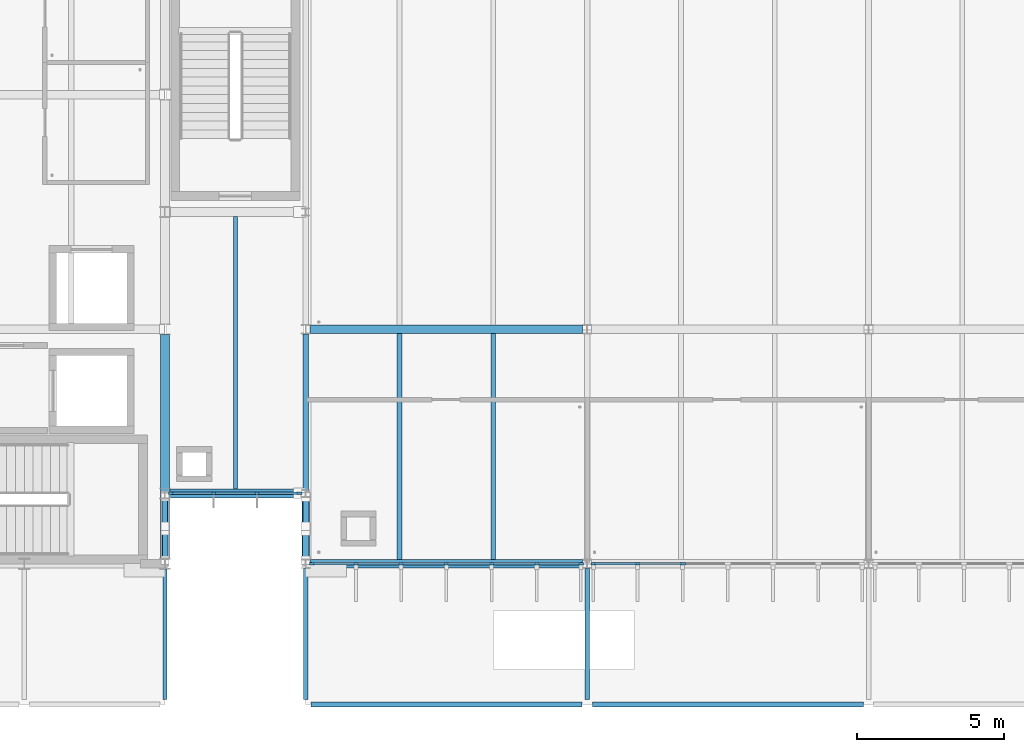
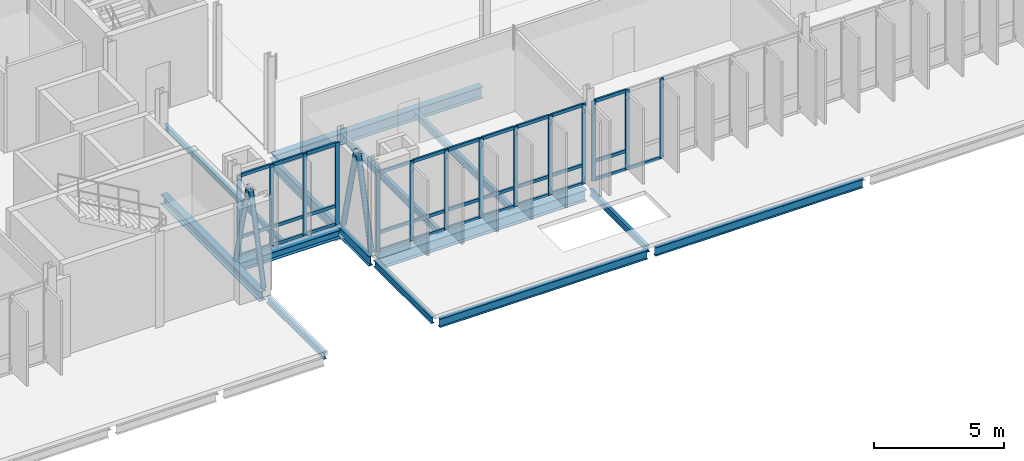
# One storey, part 19 of 107: 49 members, 13 beams, 3 elements without a shape of their own.
"""IFC4 building model written with IfcOpenShell, lengths in metres."""

from ifc_helpers import new_model, si_unit, direction, frame, origin, origin_2d, place, context, subcontext, project, spatial, rectangle, hollow_circle, i_section, extrude, material, material_profile, profile_set, type_object, element, aggregate, save


model = new_model("IFC4")

# Units and contexts
model_context = context("Model", 3, precision=1e-05, world=origin(), true_north=direction((0.0, 1.0)))
body_context = subcontext(model_context, "Body", "Model", "MODEL_VIEW")
ifc_project = project(units=[si_unit("LENGTHUNIT", "METRE"), si_unit("AREAUNIT", "SQUARE_METRE"), si_unit("VOLUMEUNIT", "CUBIC_METRE"), si_unit("PLANEANGLEUNIT", "RADIAN"), si_unit("MASSUNIT", "GRAM", prefix="KILO")], contexts=[model_context])

# Site, building, storey
site_placement = place(None, origin())
site = spatial("IfcSite", under=ifc_project, at=site_placement, CompositionType="ELEMENT")
building_placement = place(site_placement, origin())
building = spatial("IfcBuilding", under=site, at=building_placement, Name="Dunescarp Central Library", CompositionType="ELEMENT")
storey_placement = place(building_placement, frame((0.0, 0.0, 5.10009765625)))
storey = spatial("IfcBuildingStorey", under=building, at=storey_placement, Name="L01", CompositionType="ELEMENT", Elevation=5.10009765625)

# Curtain wall, members
ifc_material_1 = material(Name="Marine-grade anodised aluminium 6063-T6", Category="aluminium")
curtain_wall_type_1 = type_object("IfcCurtainWallType", Name="ARC-CW-STICK", PredefinedType="NOTDEFINED", material=ifc_material_1)
curtain_wall_1_placement = place(storey_placement, origin())
curtain_wall_1 = element("IfcCurtainWall", 1, at=curtain_wall_1_placement, inside=storey, type_object=curtain_wall_type_1, Name="L01 curtain wall CW-V2-048", PredefinedType="NOTDEFINED")
ifc_material_profile_1 = material_profile(ifc_material_1, rectangle(XDim=0.080078125, YDim=0.179931640625, at=origin_2d()), Name="AL 80x180")
ifc_profile_set_1 = profile_set([ifc_material_profile_1], Name="Marine-grade anodised aluminium 6063-T6")
member_type_1 = type_object("IfcMemberType", Name="ARC-CWM-180", PredefinedType="MULLION", material=ifc_profile_set_1)
member_1_placement = place(storey_placement, frame((47.784912109375, 4.800048828125, 0.0), z_axis=(0.0, 0.0, 1.0), x_axis=(0.0, -1.0, 0.0)))
member_1 = element("IfcMember", 2, at=member_1_placement, type_object=member_type_1, Name="CW-V2-048 mullion 1", PredefinedType="MULLION", context=body_context, shape_type="SweptSolid", body=[
    extrude(rectangle(XDim=0.080078125, YDim=0.179931640625, at=origin_2d()), origin(), (0.0, 0.0, 1.0), 3.764892578125),
])
member_2_placement = place(storey_placement, frame((46.283447265625, 4.800048828125, 0.0), z_axis=(0.0, 0.0, 1.0), x_axis=(0.0, -1.0, 0.0)))
member_2 = element("IfcMember", 3, at=member_2_placement, type_object=member_type_1, Name="CW-V2-048 mullion 2", PredefinedType="MULLION", context=body_context, shape_type="SweptSolid", body=[
    extrude(rectangle(XDim=0.080078125, YDim=0.179931640625, at=origin_2d()), origin(), (0.0, 0.0, 1.0), 3.764892578125),
])
member_3_placement = place(storey_placement, frame((44.74169921875, 4.800048828125, 0.0), z_axis=(0.0, 0.0, 1.0), x_axis=(0.0, -1.0, 0.0)))
member_3 = element("IfcMember", 4, at=member_3_placement, type_object=member_type_1, Name="CW-V2-048 mullion 3", PredefinedType="MULLION", context=body_context, shape_type="SweptSolid", body=[
    extrude(rectangle(XDim=0.080078125, YDim=0.179931640625, at=origin_2d()), origin(), (0.0, 0.0, 1.0), 3.764892578125),
])
member_4_placement = place(storey_placement, frame((43.199951171875, 4.800048828125, 0.0), z_axis=(0.0, 0.0, 1.0), x_axis=(0.0, -1.0, 0.0)))
member_4 = element("IfcMember", 5, at=member_4_placement, type_object=member_type_1, Name="CW-V2-048 mullion 4", PredefinedType="MULLION", context=body_context, shape_type="SweptSolid", body=[
    extrude(rectangle(XDim=0.080078125, YDim=0.179931640625, at=origin_2d()), origin(), (0.0, 0.0, 1.0), 3.764892578125),
])
member_5_placement = place(storey_placement, frame((41.658447265625, 4.800048828125, 0.0), z_axis=(0.0, 0.0, 1.0), x_axis=(0.0, -1.0, 0.0)))
member_5 = element("IfcMember", 6, at=member_5_placement, type_object=member_type_1, Name="CW-V2-048 mullion 5", PredefinedType="MULLION", context=body_context, shape_type="SweptSolid", body=[
    extrude(rectangle(XDim=0.080078125, YDim=0.179931640625, at=origin_2d()), origin(), (0.0, 0.0, 1.0), 3.764892578125),
])
member_6_placement = place(storey_placement, frame((40.11669921875, 4.800048828125, 0.0), z_axis=(0.0, 0.0, 1.0), x_axis=(0.0, -1.0, 0.0)))
member_6 = element("IfcMember", 7, at=member_6_placement, type_object=member_type_1, Name="CW-V2-048 mullion 6", PredefinedType="MULLION", context=body_context, shape_type="SweptSolid", body=[
    extrude(rectangle(XDim=0.080078125, YDim=0.179931640625, at=origin_2d()), origin(), (0.0, 0.0, 1.0), 3.764892578125),
])
member_7_placement = place(storey_placement, frame((38.614990234375, 4.800048828125, 0.0), z_axis=(0.0, 0.0, 1.0), x_axis=(0.0, -1.0, 0.0)))
member_7 = element("IfcMember", 8, at=member_7_placement, type_object=member_type_1, Name="CW-V2-048 mullion 7", PredefinedType="MULLION", context=body_context, shape_type="SweptSolid", body=[
    extrude(rectangle(XDim=0.080078125, YDim=0.179931640625, at=origin_2d()), origin(), (0.0, 0.0, 1.0), 3.764892578125),
])

curtain_wall_2_placement = place(storey_placement, origin())
curtain_wall_2 = element("IfcCurtainWall", 9, at=curtain_wall_2_placement, inside=storey, type_object=curtain_wall_type_1, Name="L01 curtain wall CW-V2-049", PredefinedType="NOTDEFINED")
member_8_placement = place(storey_placement, frame((51.25830078125, 4.800048828125, 0.0), z_axis=(0.0, 0.0, 1.0), x_axis=(0.0, -1.0, 0.0)))
member_8 = element("IfcMember", 10, at=member_8_placement, type_object=member_type_1, Name="CW-V2-049 mullion 5", PredefinedType="MULLION", context=body_context, shape_type="SweptSolid", body=[
    extrude(rectangle(XDim=0.080078125, YDim=0.179931640625, at=origin_2d()), origin(), (0.0, 0.0, 1.0), 3.764892578125),
])
member_9_placement = place(storey_placement, frame((49.716552734375, 4.800048828125, 0.0), z_axis=(0.0, 0.0, 1.0), x_axis=(0.0, -1.0, 0.0)))
member_9 = element("IfcMember", 11, at=member_9_placement, type_object=member_type_1, Name="CW-V2-049 mullion 6", PredefinedType="MULLION", context=body_context, shape_type="SweptSolid", body=[
    extrude(rectangle(XDim=0.080078125, YDim=0.179931640625, at=origin_2d()), origin(), (0.0, 0.0, 1.0), 3.764892578125),
])
member_10_placement = place(storey_placement, frame((48.215087890625, 4.800048828125, 0.0), z_axis=(0.0, 0.0, 1.0), x_axis=(0.0, -1.0, 0.0)))
member_10 = element("IfcMember", 12, at=member_10_placement, type_object=member_type_1, Name="CW-V2-049 mullion 7", PredefinedType="MULLION", context=body_context, shape_type="SweptSolid", body=[
    extrude(rectangle(XDim=0.080078125, YDim=0.179931640625, at=origin_2d()), origin(), (0.0, 0.0, 1.0), 3.764892578125),
])

curtain_wall_type_2 = type_object("IfcCurtainWallType", Name="ARC-CW-LINK", PredefinedType="USERDEFINED", material=ifc_material_1)
curtain_wall_3_placement = place(storey_placement, origin())
curtain_wall_3 = element("IfcCurtainWall", 13, at=curtain_wall_3_placement, inside=storey, type_object=curtain_wall_type_2, Name="L01 curtain wall CW-GL1-S-L01", ObjectType="GLAZED_LINK_WALL", PredefinedType="USERDEFINED")
member_11_placement = place(storey_placement, frame((38.18505859375, 7.199951171875, 0.0), z_axis=(0.0, 0.0, 1.0), x_axis=(0.0, -1.0, 0.0)))
member_11 = element("IfcMember", 14, at=member_11_placement, type_object=member_type_1, Name="CW-GL1-S-L01 mullion 1", PredefinedType="MULLION", context=body_context, shape_type="SweptSolid", body=[
    extrude(rectangle(XDim=0.080078125, YDim=0.179931640625, at=origin_2d()), origin(), (0.0, 0.0, 1.0), 3.851806640625),
])
member_12_placement = place(storey_placement, frame((36.74169921875, 7.199951171875, 0.0), z_axis=(0.0, 0.0, 1.0), x_axis=(0.0, -1.0, 0.0)))
member_12 = element("IfcMember", 15, at=member_12_placement, type_object=member_type_1, Name="CW-GL1-S-L01 mullion 2", PredefinedType="MULLION", context=body_context, shape_type="SweptSolid", body=[
    extrude(rectangle(XDim=0.080078125, YDim=0.179931640625, at=origin_2d()), origin(), (0.0, 0.0, 1.0), 3.851806640625),
])
member_13_placement = place(storey_placement, frame((35.25830078125, 7.199951171875, 0.0), z_axis=(0.0, 0.0, 1.0), x_axis=(0.0, -1.0, 0.0)))
member_13 = element("IfcMember", 16, at=member_13_placement, type_object=member_type_1, Name="CW-GL1-S-L01 mullion 3", PredefinedType="MULLION", context=body_context, shape_type="SweptSolid", body=[
    extrude(rectangle(XDim=0.080078125, YDim=0.179931640625, at=origin_2d()), origin(), (0.0, 0.0, 1.0), 3.851806640625),
])
member_14_placement = place(storey_placement, frame((33.81494140625, 7.199951171875, 0.0), z_axis=(0.0, 0.0, 1.0), x_axis=(0.0, -1.0, 0.0)))
member_14 = element("IfcMember", 17, at=member_14_placement, type_object=member_type_1, Name="CW-GL1-S-L01 mullion 4", PredefinedType="MULLION", context=body_context, shape_type="SweptSolid", body=[
    extrude(rectangle(XDim=0.080078125, YDim=0.179931640625, at=origin_2d()), origin(), (0.0, 0.0, 1.0), 3.851806640625),
])

# Member
ifc_material_profile_2 = material_profile(ifc_material_1, rectangle(XDim=0.080078125, YDim=0.14990234375, at=origin_2d()), Name="AL 80x150")
ifc_profile_set_2 = profile_set([ifc_material_profile_2], Name="Marine-grade anodised aluminium 6063-T6")
member_type_2 = type_object("IfcMemberType", Name="ARC-CWT-150", PredefinedType="USERDEFINED", material=ifc_profile_set_2)
member_15_placement = place(storey_placement, frame((47.7451171875, 4.800048828125, 0.039794921875), z_axis=(-1.0, 0.0, 0.0), x_axis=(0.0, -1.0, 0.0)))
member_15 = element("IfcMember", 18, at=member_15_placement, type_object=member_type_2, Name="CW-V2-048 transom 1.1", ObjectType="TRANSOM", PredefinedType="USERDEFINED", context=body_context, shape_type="SweptSolid", body=[
    extrude(rectangle(XDim=0.080078125, YDim=0.14990234375, at=origin_2d()), origin(), (0.0, 0.0, 1.0), 1.421875),
])

member_16_placement = place(storey_placement, frame((47.7451171875, 4.800048828125, 0.89990234375), z_axis=(-1.0, 0.0, 0.0), x_axis=(0.0, -1.0, 0.0)))
member_16 = element("IfcMember", 19, at=member_16_placement, type_object=member_type_2, Name="CW-V2-048 transom 1.2", ObjectType="TRANSOM", PredefinedType="USERDEFINED", context=body_context, shape_type="SweptSolid", body=[
    extrude(rectangle(XDim=0.080078125, YDim=0.14990234375, at=origin_2d()), origin(), (0.0, 0.0, 1.0), 1.421875),
])

member_17_placement = place(storey_placement, frame((47.7451171875, 4.800048828125, 3.724853515625), z_axis=(-1.0, 0.0, 0.0), x_axis=(0.0, -1.0, 0.0)))
member_17 = element("IfcMember", 20, at=member_17_placement, type_object=member_type_2, Name="CW-V2-048 transom 1.3", ObjectType="TRANSOM", PredefinedType="USERDEFINED", context=body_context, shape_type="SweptSolid", body=[
    extrude(rectangle(XDim=0.080078125, YDim=0.14990234375, at=origin_2d()), origin(), (0.0, 0.0, 1.0), 1.421875),
])

member_18_placement = place(storey_placement, frame((46.243408203125, 4.800048828125, 0.039794921875), z_axis=(-1.0, 0.0, 0.0), x_axis=(0.0, -1.0, 0.0)))
member_18 = element("IfcMember", 21, at=member_18_placement, type_object=member_type_2, Name="CW-V2-048 transom 2.1", ObjectType="TRANSOM", PredefinedType="USERDEFINED", context=body_context, shape_type="SweptSolid", body=[
    extrude(rectangle(XDim=0.080078125, YDim=0.14990234375, at=origin_2d()), origin(), (0.0, 0.0, 1.0), 1.461669921875),
])

member_19_placement = place(storey_placement, frame((46.243408203125, 4.800048828125, 0.89990234375), z_axis=(-1.0, 0.0, 0.0), x_axis=(0.0, -1.0, 0.0)))
member_19 = element("IfcMember", 22, at=member_19_placement, type_object=member_type_2, Name="CW-V2-048 transom 2.2", ObjectType="TRANSOM", PredefinedType="USERDEFINED", context=body_context, shape_type="SweptSolid", body=[
    extrude(rectangle(XDim=0.080078125, YDim=0.14990234375, at=origin_2d()), origin(), (0.0, 0.0, 1.0), 1.461669921875),
])

member_20_placement = place(storey_placement, frame((46.243408203125, 4.800048828125, 3.724853515625), z_axis=(-1.0, 0.0, 0.0), x_axis=(0.0, -1.0, 0.0)))
member_20 = element("IfcMember", 23, at=member_20_placement, type_object=member_type_2, Name="CW-V2-048 transom 2.3", ObjectType="TRANSOM", PredefinedType="USERDEFINED", context=body_context, shape_type="SweptSolid", body=[
    extrude(rectangle(XDim=0.080078125, YDim=0.14990234375, at=origin_2d()), origin(), (0.0, 0.0, 1.0), 1.461669921875),
])

member_21_placement = place(storey_placement, frame((44.70166015625, 4.800048828125, 0.039794921875), z_axis=(-1.0, 0.0, 0.0), x_axis=(0.0, -1.0, 0.0)))
member_21 = element("IfcMember", 24, at=member_21_placement, type_object=member_type_2, Name="CW-V2-048 transom 3.1", ObjectType="TRANSOM", PredefinedType="USERDEFINED", context=body_context, shape_type="SweptSolid", body=[
    extrude(rectangle(XDim=0.080078125, YDim=0.14990234375, at=origin_2d()), origin(), (0.0, 0.0, 1.0), 1.461669921875),
])

member_22_placement = place(storey_placement, frame((44.70166015625, 4.800048828125, 0.89990234375), z_axis=(-1.0, 0.0, 0.0), x_axis=(0.0, -1.0, 0.0)))
member_22 = element("IfcMember", 25, at=member_22_placement, type_object=member_type_2, Name="CW-V2-048 transom 3.2", ObjectType="TRANSOM", PredefinedType="USERDEFINED", context=body_context, shape_type="SweptSolid", body=[
    extrude(rectangle(XDim=0.080078125, YDim=0.14990234375, at=origin_2d()), origin(), (0.0, 0.0, 1.0), 1.461669921875),
])

member_23_placement = place(storey_placement, frame((44.70166015625, 4.800048828125, 3.724853515625), z_axis=(-1.0, 0.0, 0.0), x_axis=(0.0, -1.0, 0.0)))
member_23 = element("IfcMember", 26, at=member_23_placement, type_object=member_type_2, Name="CW-V2-048 transom 3.3", ObjectType="TRANSOM", PredefinedType="USERDEFINED", context=body_context, shape_type="SweptSolid", body=[
    extrude(rectangle(XDim=0.080078125, YDim=0.14990234375, at=origin_2d()), origin(), (0.0, 0.0, 1.0), 1.461669921875),
])

member_24_placement = place(storey_placement, frame((43.159912109375, 4.800048828125, 0.039794921875), z_axis=(-1.0, 0.0, 0.0), x_axis=(0.0, -1.0, 0.0)))
member_24 = element("IfcMember", 27, at=member_24_placement, type_object=member_type_2, Name="CW-V2-048 transom 4.1", ObjectType="TRANSOM", PredefinedType="USERDEFINED", context=body_context, shape_type="SweptSolid", body=[
    extrude(rectangle(XDim=0.080078125, YDim=0.14990234375, at=origin_2d()), origin(), (0.0, 0.0, 1.0), 1.461669921875),
])

member_25_placement = place(storey_placement, frame((43.159912109375, 4.800048828125, 0.89990234375), z_axis=(-1.0, 0.0, 0.0), x_axis=(0.0, -1.0, 0.0)))
member_25 = element("IfcMember", 28, at=member_25_placement, type_object=member_type_2, Name="CW-V2-048 transom 4.2", ObjectType="TRANSOM", PredefinedType="USERDEFINED", context=body_context, shape_type="SweptSolid", body=[
    extrude(rectangle(XDim=0.080078125, YDim=0.14990234375, at=origin_2d()), origin(), (0.0, 0.0, 1.0), 1.461669921875),
])

member_26_placement = place(storey_placement, frame((43.159912109375, 4.800048828125, 3.724853515625), z_axis=(-1.0, 0.0, 0.0), x_axis=(0.0, -1.0, 0.0)))
member_26 = element("IfcMember", 29, at=member_26_placement, type_object=member_type_2, Name="CW-V2-048 transom 4.3", ObjectType="TRANSOM", PredefinedType="USERDEFINED", context=body_context, shape_type="SweptSolid", body=[
    extrude(rectangle(XDim=0.080078125, YDim=0.14990234375, at=origin_2d()), origin(), (0.0, 0.0, 1.0), 1.461669921875),
])

member_27_placement = place(storey_placement, frame((41.618408203125, 4.800048828125, 0.039794921875), z_axis=(-1.0, 0.0, 0.0), x_axis=(0.0, -1.0, 0.0)))
member_27 = element("IfcMember", 30, at=member_27_placement, type_object=member_type_2, Name="CW-V2-048 transom 5.1", ObjectType="TRANSOM", PredefinedType="USERDEFINED", context=body_context, shape_type="SweptSolid", body=[
    extrude(rectangle(XDim=0.080078125, YDim=0.14990234375, at=origin_2d()), origin(), (0.0, 0.0, 1.0), 1.461669921875),
])

member_28_placement = place(storey_placement, frame((41.618408203125, 4.800048828125, 0.89990234375), z_axis=(-1.0, 0.0, 0.0), x_axis=(0.0, -1.0, 0.0)))
member_28 = element("IfcMember", 31, at=member_28_placement, type_object=member_type_2, Name="CW-V2-048 transom 5.2", ObjectType="TRANSOM", PredefinedType="USERDEFINED", context=body_context, shape_type="SweptSolid", body=[
    extrude(rectangle(XDim=0.080078125, YDim=0.14990234375, at=origin_2d()), origin(), (0.0, 0.0, 1.0), 1.461669921875),
])

member_29_placement = place(storey_placement, frame((41.618408203125, 4.800048828125, 3.724853515625), z_axis=(-1.0, 0.0, 0.0), x_axis=(0.0, -1.0, 0.0)))
member_29 = element("IfcMember", 32, at=member_29_placement, type_object=member_type_2, Name="CW-V2-048 transom 5.3", ObjectType="TRANSOM", PredefinedType="USERDEFINED", context=body_context, shape_type="SweptSolid", body=[
    extrude(rectangle(XDim=0.080078125, YDim=0.14990234375, at=origin_2d()), origin(), (0.0, 0.0, 1.0), 1.461669921875),
])

member_30_placement = place(storey_placement, frame((40.07666015625, 4.800048828125, 0.039794921875), z_axis=(-1.0, 0.0, 0.0), x_axis=(0.0, -1.0, 0.0)))
member_30 = element("IfcMember", 33, at=member_30_placement, type_object=member_type_2, Name="CW-V2-048 transom 6.1", ObjectType="TRANSOM", PredefinedType="USERDEFINED", context=body_context, shape_type="SweptSolid", body=[
    extrude(rectangle(XDim=0.080078125, YDim=0.14990234375, at=origin_2d()), origin(), (0.0, 0.0, 1.0), 1.421630859375),
])

member_31_placement = place(storey_placement, frame((40.07666015625, 4.800048828125, 0.89990234375), z_axis=(-1.0, 0.0, 0.0), x_axis=(0.0, -1.0, 0.0)))
member_31 = element("IfcMember", 34, at=member_31_placement, type_object=member_type_2, Name="CW-V2-048 transom 6.2", ObjectType="TRANSOM", PredefinedType="USERDEFINED", context=body_context, shape_type="SweptSolid", body=[
    extrude(rectangle(XDim=0.080078125, YDim=0.14990234375, at=origin_2d()), origin(), (0.0, 0.0, 1.0), 1.421630859375),
])

member_32_placement = place(storey_placement, frame((40.07666015625, 4.800048828125, 3.724853515625), z_axis=(-1.0, 0.0, 0.0), x_axis=(0.0, -1.0, 0.0)))
member_32 = element("IfcMember", 35, at=member_32_placement, type_object=member_type_2, Name="CW-V2-048 transom 6.3", ObjectType="TRANSOM", PredefinedType="USERDEFINED", context=body_context, shape_type="SweptSolid", body=[
    extrude(rectangle(XDim=0.080078125, YDim=0.14990234375, at=origin_2d()), origin(), (0.0, 0.0, 1.0), 1.421630859375),
])

aggregate(curtain_wall_1, [member_1, member_2, member_3, member_4, member_5, member_6, member_7, member_15, member_16, member_17, member_18, member_19, member_20, member_21, member_22, member_23, member_24, member_25, member_26, member_27, member_28, member_29, member_30, member_31, member_32])

member_33_placement = place(storey_placement, frame((51.21826171875, 4.800048828125, 0.039794921875), z_axis=(-1.0, 0.0, 0.0), x_axis=(0.0, -1.0, 0.0)))
member_33 = element("IfcMember", 36, at=member_33_placement, type_object=member_type_2, Name="CW-V2-049 transom 5.1", ObjectType="TRANSOM", PredefinedType="USERDEFINED", context=body_context, shape_type="SweptSolid", body=[
    extrude(rectangle(XDim=0.080078125, YDim=0.14990234375, at=origin_2d()), origin(), (0.0, 0.0, 1.0), 1.461669921875),
])

member_34_placement = place(storey_placement, frame((49.6767578125, 4.800048828125, 0.039794921875), z_axis=(-1.0, 0.0, 0.0), x_axis=(0.0, -1.0, 0.0)))
member_34 = element("IfcMember", 37, at=member_34_placement, type_object=member_type_2, Name="CW-V2-049 transom 6.1", ObjectType="TRANSOM", PredefinedType="USERDEFINED", context=body_context, shape_type="SweptSolid", body=[
    extrude(rectangle(XDim=0.080078125, YDim=0.14990234375, at=origin_2d()), origin(), (0.0, 0.0, 1.0), 1.421875),
])

member_35_placement = place(storey_placement, frame((49.6767578125, 4.800048828125, 0.89990234375), z_axis=(-1.0, 0.0, 0.0), x_axis=(0.0, -1.0, 0.0)))
member_35 = element("IfcMember", 38, at=member_35_placement, type_object=member_type_2, Name="CW-V2-049 transom 6.2", ObjectType="TRANSOM", PredefinedType="USERDEFINED", context=body_context, shape_type="SweptSolid", body=[
    extrude(rectangle(XDim=0.080078125, YDim=0.14990234375, at=origin_2d()), origin(), (0.0, 0.0, 1.0), 1.421875),
])

member_36_placement = place(storey_placement, frame((49.6767578125, 4.800048828125, 3.724853515625), z_axis=(-1.0, 0.0, 0.0), x_axis=(0.0, -1.0, 0.0)))
member_36 = element("IfcMember", 39, at=member_36_placement, type_object=member_type_2, Name="CW-V2-049 transom 6.3", ObjectType="TRANSOM", PredefinedType="USERDEFINED", context=body_context, shape_type="SweptSolid", body=[
    extrude(rectangle(XDim=0.080078125, YDim=0.14990234375, at=origin_2d()), origin(), (0.0, 0.0, 1.0), 1.421875),
])

aggregate(curtain_wall_2, [member_8, member_9, member_10, member_33, member_34, member_35, member_36])

member_37_placement = place(storey_placement, frame((38.14501953125, 7.199951171875, 0.039794921875), z_axis=(-1.0, 0.0, 0.0), x_axis=(0.0, -1.0, 0.0)))
member_37 = element("IfcMember", 40, at=member_37_placement, type_object=member_type_2, Name="CW-GL1-S-L01 transom 1.1", ObjectType="TRANSOM", PredefinedType="USERDEFINED", context=body_context, shape_type="SweptSolid", body=[
    extrude(rectangle(XDim=0.080078125, YDim=0.14990234375, at=origin_2d()), origin(), (0.0, 0.0, 1.0), 1.36328125),
])

member_38_placement = place(storey_placement, frame((38.14501953125, 7.199951171875, 0.89990234375), z_axis=(-1.0, 0.0, 0.0), x_axis=(0.0, -1.0, 0.0)))
member_38 = element("IfcMember", 41, at=member_38_placement, type_object=member_type_2, Name="CW-GL1-S-L01 transom 1.2", ObjectType="TRANSOM", PredefinedType="USERDEFINED", context=body_context, shape_type="SweptSolid", body=[
    extrude(rectangle(XDim=0.080078125, YDim=0.14990234375, at=origin_2d()), origin(), (0.0, 0.0, 1.0), 1.36328125),
])

member_39_placement = place(storey_placement, frame((38.14501953125, 7.199951171875, 3.81201171875), z_axis=(-1.0, 0.0, 0.0), x_axis=(0.0, -1.0, 0.0)))
member_39 = element("IfcMember", 42, at=member_39_placement, type_object=member_type_2, Name="CW-GL1-S-L01 transom 1.3", ObjectType="TRANSOM", PredefinedType="USERDEFINED", context=body_context, shape_type="SweptSolid", body=[
    extrude(rectangle(XDim=0.080078125, YDim=0.14990234375, at=origin_2d()), origin(), (0.0, 0.0, 1.0), 1.36328125),
])

member_40_placement = place(storey_placement, frame((36.70166015625, 7.199951171875, 0.039794921875), z_axis=(-1.0, 0.0, 0.0), x_axis=(0.0, -1.0, 0.0)))
member_40 = element("IfcMember", 43, at=member_40_placement, type_object=member_type_2, Name="CW-GL1-S-L01 transom 2.1", ObjectType="TRANSOM", PredefinedType="USERDEFINED", context=body_context, shape_type="SweptSolid", body=[
    extrude(rectangle(XDim=0.080078125, YDim=0.14990234375, at=origin_2d()), origin(), (0.0, 0.0, 1.0), 1.4033203125),
])

member_41_placement = place(storey_placement, frame((36.70166015625, 7.199951171875, 0.89990234375), z_axis=(-1.0, 0.0, 0.0), x_axis=(0.0, -1.0, 0.0)))
member_41 = element("IfcMember", 44, at=member_41_placement, type_object=member_type_2, Name="CW-GL1-S-L01 transom 2.2", ObjectType="TRANSOM", PredefinedType="USERDEFINED", context=body_context, shape_type="SweptSolid", body=[
    extrude(rectangle(XDim=0.080078125, YDim=0.14990234375, at=origin_2d()), origin(), (0.0, 0.0, 1.0), 1.4033203125),
])

member_42_placement = place(storey_placement, frame((36.70166015625, 7.199951171875, 3.81201171875), z_axis=(-1.0, 0.0, 0.0), x_axis=(0.0, -1.0, 0.0)))
member_42 = element("IfcMember", 45, at=member_42_placement, type_object=member_type_2, Name="CW-GL1-S-L01 transom 2.3", ObjectType="TRANSOM", PredefinedType="USERDEFINED", context=body_context, shape_type="SweptSolid", body=[
    extrude(rectangle(XDim=0.080078125, YDim=0.14990234375, at=origin_2d()), origin(), (0.0, 0.0, 1.0), 1.4033203125),
])

member_43_placement = place(storey_placement, frame((35.21826171875, 7.199951171875, 0.039794921875), z_axis=(-1.0, 0.0, 0.0), x_axis=(0.0, -1.0, 0.0)))
member_43 = element("IfcMember", 46, at=member_43_placement, type_object=member_type_2, Name="CW-GL1-S-L01 transom 3.1", ObjectType="TRANSOM", PredefinedType="USERDEFINED", context=body_context, shape_type="SweptSolid", body=[
    extrude(rectangle(XDim=0.080078125, YDim=0.14990234375, at=origin_2d()), origin(), (0.0, 0.0, 1.0), 1.36328125),
])

member_44_placement = place(storey_placement, frame((35.21826171875, 7.199951171875, 0.89990234375), z_axis=(-1.0, 0.0, 0.0), x_axis=(0.0, -1.0, 0.0)))
member_44 = element("IfcMember", 47, at=member_44_placement, type_object=member_type_2, Name="CW-GL1-S-L01 transom 3.2", ObjectType="TRANSOM", PredefinedType="USERDEFINED", context=body_context, shape_type="SweptSolid", body=[
    extrude(rectangle(XDim=0.080078125, YDim=0.14990234375, at=origin_2d()), origin(), (0.0, 0.0, 1.0), 1.36328125),
])

member_45_placement = place(storey_placement, frame((35.21826171875, 7.199951171875, 3.81201171875), z_axis=(-1.0, 0.0, 0.0), x_axis=(0.0, -1.0, 0.0)))
member_45 = element("IfcMember", 48, at=member_45_placement, type_object=member_type_2, Name="CW-GL1-S-L01 transom 3.3", ObjectType="TRANSOM", PredefinedType="USERDEFINED", context=body_context, shape_type="SweptSolid", body=[
    extrude(rectangle(XDim=0.080078125, YDim=0.14990234375, at=origin_2d()), origin(), (0.0, 0.0, 1.0), 1.36328125),
])

aggregate(curtain_wall_3, [member_11, member_12, member_13, member_14, member_37, member_38, member_39, member_40, member_41, member_42, member_43, member_44, member_45])

# Beams
ifc_material_2 = material(Name="Steel S355JR", Category="steel")
ifc_material_profile_3 = material_profile(ifc_material_2, i_section(OverallWidth=0.300048828125, OverallDepth=0.389892578125, WebThickness=0.010986328125, FlangeThickness=0.01904296875, at=origin_2d()), Name="HEA 400")
ifc_profile_set_3 = profile_set([ifc_material_profile_3], Name="Steel S355JR")
beam_type_1 = type_object("IfcBeamType", Name="STR-BM-HEA400", PredefinedType="BEAM", material=ifc_profile_set_3)
beam_1_placement = place(storey_placement, frame((33.783935546875, 7.199951171875, -0.4150390625), z_axis=(1.0, 0.0, 0.0), x_axis=(0.0, 1.0, 0.0)))
element("IfcBeam", 49, at=beam_1_placement, inside=storey, type_object=beam_type_1, Name="L01 girder BM-L01-1215", PredefinedType="BEAM", context=body_context, shape_type="SweptSolid", body=[
    extrude(i_section(OverallWidth=0.300048828125, OverallDepth=0.389892578125, WebThickness=0.010986328125, FlangeThickness=0.01904296875, at=origin_2d()), origin(), (0.0, 0.0, 1.0), 4.488037109375),
])
ifc_material_profile_4 = material_profile(ifc_material_2, i_section(OverallWidth=0.300048828125, OverallDepth=0.449951171875, WebThickness=0.013916015625, FlangeThickness=0.02587890625, at=origin_2d()), Name="HEB 450")
ifc_profile_set_4 = profile_set([ifc_material_profile_4], Name="Steel S355JR")
beam_type_2 = type_object("IfcBeamType", Name="STR-BM-HEB450", PredefinedType="BEAM", material=ifc_profile_set_4)
beam_2_placement = place(storey_placement, frame((33.60009765625, 4.988037109375, -0.445068359375), z_axis=(0.0, 1.0, 0.0), x_axis=(-1.0, 0.0, 0.0)))
element("IfcBeam", 50, at=beam_2_placement, inside=storey, type_object=beam_type_2, Name="L01 girder BM-L01-0043", PredefinedType="BEAM", context=body_context, shape_type="SweptSolid", body=[
    extrude(i_section(OverallWidth=0.300048828125, OverallDepth=0.449951171875, WebThickness=0.013916015625, FlangeThickness=0.02587890625, at=origin_2d()), origin(), (0.0, 0.0, 1.0), 7.6279296875),
])
ifc_material_profile_5 = material_profile(ifc_material_2, i_section(OverallWidth=0.19287109375, OverallDepth=0.46728515625, WebThickness=0.011474609375, FlangeThickness=0.01953125, at=origin_2d()), Name="UB 457x191x98")
ifc_profile_set_5 = profile_set([ifc_material_profile_5], Name="Steel S355JR")
beam_type_3 = type_object("IfcBeamType", Name="STR-BM-IPE450", PredefinedType="BEAM", material=ifc_profile_set_5)
beam_3_placement = place(storey_placement, frame((38.39990234375, 4.967041015625, -0.4541015625), z_axis=(0.0, 1.0, 0.0), x_axis=(-1.0, 0.0, 0.0)))
element("IfcBeam", 51, at=beam_3_placement, inside=storey, type_object=beam_type_3, Name="L01 girder BM-L01-0333", PredefinedType="BEAM", context=body_context, shape_type="SweptSolid", body=[
    extrude(i_section(OverallWidth=0.19287109375, OverallDepth=0.46728515625, WebThickness=0.011474609375, FlangeThickness=0.01953125, at=origin_2d()), origin(), (0.0, 0.0, 1.0), 7.666015625),
])
ifc_material_profile_6 = material_profile(ifc_material_2, i_section(OverallWidth=0.300048828125, OverallDepth=0.5400390625, WebThickness=0.012451171875, FlangeThickness=0.02392578125, at=origin_2d()), Name="HEA 550")
ifc_profile_set_6 = profile_set([ifc_material_profile_6], Name="Steel S355JR")
beam_type_4 = type_object("IfcBeamType", Name="STR-BM-IPE500", PredefinedType="BEAM", material=ifc_profile_set_6)
for number, where, z_axis, x_axis, name in (
    (52, (38.553955078125, 4.800048828125, -0.489990234375), (1.0, 0.0, 0.0), (0.0, 1.0, 0.0), "L01 girder BM-L01-0331"),
    (53, (38.553955078125, 12.800048828125, -0.489990234375), (1.0, 0.0, 0.0), (0.0, 1.0, 0.0), "L01 girder BM-L01-0332"),
):
    element("IfcBeam", number, at=place(storey_placement, frame(where, z_axis=z_axis, x_axis=x_axis)), inside=storey, type_object=beam_type_4, Name=name, PredefinedType="BEAM", context=body_context, shape_type="SweptSolid", body=[
        extrude(i_section(OverallWidth=0.300048828125, OverallDepth=0.5400390625, WebThickness=0.012451171875, FlangeThickness=0.02392578125, at=origin_2d()), origin(), (0.0, 0.0, 1.0), 9.2919921875),
    ])

# Members
ifc_material_3 = material(Name="Steel S355J0", Category="steel")
ifc_material_profile_7 = material_profile(ifc_material_3, hollow_circle(Radius=0.109619140625, WallThickness=0.010009765625, at=origin_2d()), Name="CHS 219.1x10")
ifc_profile_set_7 = profile_set([ifc_material_profile_7], Name="Steel S355J0")
member_type_3 = type_object("IfcMemberType", Name="STR-BR-219", PredefinedType="BRACE", material=ifc_profile_set_7)
for number, where, z_axis, x_axis, name in (
    (54, (33.60009765625, 4.919921875, 0.0), (0.0, 0.23972532699, 0.970840752956), (-1.0, 0.0, 0.0), "L01 concentric brace BR-L01-003"),
    (55, (33.60009765625, 7.080078125, 0.0), (0.0, -0.23972532699, 0.970840752956), (1.0, 0.0, 0.0), "L01 concentric brace BR-L01-004"),
):
    element("IfcMember", number, at=place(storey_placement, frame(where, z_axis=z_axis, x_axis=x_axis)), inside=storey, type_object=member_type_3, Name=name, PredefinedType="BRACE", context=body_context, shape_type="SweptSolid", body=[
        extrude(hollow_circle(Radius=0.109619140625, WallThickness=0.010009765625, at=origin_2d()), origin(), (0.0, 0.0, 1.0), 4.17138671875),
    ])
ifc_material_profile_8 = material_profile(ifc_material_3, hollow_circle(Radius=0.122314453125, WallThickness=0.010009765625, at=origin_2d()), Name="CHS 244.5x10")
ifc_profile_set_8 = profile_set([ifc_material_profile_8], Name="Steel S355J0")
member_type_4 = type_object("IfcMemberType", Name="STR-BR-244", PredefinedType="BRACE", material=ifc_profile_set_8)
for number, where, z_axis, x_axis, name in (
    (56, (38.39990234375, 4.919921875, 0.0), (0.0, 0.23972532699, 0.970840752956), (-1.0, 0.0, 0.0), "L01 concentric brace BR-L01-015"),
    (57, (38.39990234375, 7.080078125, 0.0), (0.0, -0.23972532699, 0.970840752956), (1.0, 0.0, 0.0), "L01 concentric brace BR-L01-016"),
):
    element("IfcMember", number, at=place(storey_placement, frame(where, z_axis=z_axis, x_axis=x_axis)), inside=storey, type_object=member_type_4, Name=name, PredefinedType="BRACE", context=body_context, shape_type="SweptSolid", body=[
        extrude(hollow_circle(Radius=0.122314453125, WallThickness=0.010009765625, at=origin_2d()), origin(), (0.0, 0.0, 1.0), 4.17138671875),
    ])

# Beams
ifc_material_profile_9 = material_profile(ifc_material_2, i_section(OverallWidth=0.135009765625, OverallDepth=0.27001953125, WebThickness=0.006591796875, FlangeThickness=0.01025390625, at=origin_2d()), Name="IPE 270")
ifc_profile_set_9 = profile_set([ifc_material_profile_9], Name="Steel S355JR")
beam_type_5 = type_object("IfcBeamType", Name="STR-JS-IPE270", PredefinedType="JOIST", material=ifc_profile_set_9)
beam_4_placement = place(storey_placement, frame((36.0, 7.347900390625, -0.35498046875), z_axis=(0.0, 1.0, 0.0), x_axis=(-1.0, 0.0, 0.0)))
element("IfcBeam", 58, at=beam_4_placement, inside=storey, type_object=beam_type_5, Name="L01 joist JS-L01-1217", PredefinedType="JOIST", context=body_context, shape_type="SweptSolid", body=[
    extrude(i_section(OverallWidth=0.135009765625, OverallDepth=0.27001953125, WebThickness=0.006591796875, FlangeThickness=0.01025390625, at=origin_2d()), origin(), (0.0, 0.0, 1.0), 9.30419921875),
])
ifc_material_profile_10 = material_profile(ifc_material_2, i_section(OverallWidth=0.14990234375, OverallDepth=0.300048828125, WebThickness=0.007080078125, FlangeThickness=0.0107421875, at=origin_2d()), Name="IPE 300")
ifc_profile_set_10 = profile_set([ifc_material_profile_10], Name="Steel S355JR")
beam_type_6 = type_object("IfcBeamType", Name="STR-JS-IPE300", PredefinedType="JOIST", material=ifc_profile_set_10)
beam_5_placement = place(storey_placement, frame((33.60009765625, 0.175048828125, -0.35009765625), z_axis=(0.0, 1.0, 0.0), x_axis=(-1.0, 0.0, 0.0)))
element("IfcBeam", 59, at=beam_5_placement, inside=storey, type_object=beam_type_6, Name="Colonnade tie beam BM-L01-1444", PredefinedType="JOIST", context=body_context, shape_type="SweptSolid", body=[
    extrude(i_section(OverallWidth=0.14990234375, OverallDepth=0.300048828125, WebThickness=0.007080078125, FlangeThickness=0.0107421875, at=origin_2d()), origin(), (0.0, 0.0, 1.0), 4.43701171875),
])
for number, where, z_axis, x_axis, name in (
    (60, (38.39990234375, 0.175048828125, -0.35009765625), (0.0, 1.0, 0.0), (-1.0, 0.0, 0.0), "Colonnade tie beam BM-L01-1449"),
    (61, (48.0, 0.175048828125, -0.35009765625), (0.0, 1.0, 0.0), (-1.0, 0.0, 0.0), "Colonnade tie beam BM-L01-1450"),
):
    element("IfcBeam", number, at=place(storey_placement, frame(where, z_axis=z_axis, x_axis=x_axis)), inside=storey, type_object=beam_type_6, Name=name, PredefinedType="JOIST", context=body_context, shape_type="SweptSolid", body=[
        extrude(i_section(OverallWidth=0.14990234375, OverallDepth=0.300048828125, WebThickness=0.007080078125, FlangeThickness=0.0107421875, at=origin_2d()), origin(), (0.0, 0.0, 1.0), 4.4580078125),
    ])
ifc_material_profile_11 = material_profile(ifc_material_2, i_section(OverallWidth=0.159912109375, OverallDepth=0.330078125, WebThickness=0.007568359375, FlangeThickness=0.011474609375, at=origin_2d()), Name="IPE 330")
ifc_profile_set_11 = profile_set([ifc_material_profile_11], Name="Steel S355JR")
beam_type_7 = type_object("IfcBeamType", Name="STR-JS-IPE330", PredefinedType="JOIST", material=ifc_profile_set_11)
for number, where, z_axis, x_axis, name in (
    (62, (41.60009765625, 4.947998046875, -0.385009765625), (0.0, 1.0, 0.0), (-1.0, 0.0, 0.0), "L01 joist JS-L01-0335"),
    (63, (44.800048828125, 4.947998046875, -0.385009765625), (0.0, 1.0, 0.0), (-1.0, 0.0, 0.0), "L01 joist JS-L01-0336"),
):
    element("IfcBeam", number, at=place(storey_placement, frame(where, z_axis=z_axis, x_axis=x_axis)), inside=storey, type_object=beam_type_7, Name=name, PredefinedType="JOIST", context=body_context, shape_type="SweptSolid", body=[
        extrude(i_section(OverallWidth=0.159912109375, OverallDepth=0.330078125, WebThickness=0.007568359375, FlangeThickness=0.011474609375, at=origin_2d()), origin(), (0.0, 0.0, 1.0), 7.7041015625),
    ])
ifc_material_profile_12 = material_profile(ifc_material_2, i_section(OverallWidth=0.177978515625, OverallDepth=0.406494140625, WebThickness=0.0078125, FlangeThickness=0.0126953125, at=origin_2d()), Name="UB 406x178x60")
ifc_profile_set_12 = profile_set([ifc_material_profile_12], Name="Steel S355JR")
beam_type_8 = type_object("IfcBeamType", Name="STR-SP-UB406", PredefinedType="SPANDREL", material=ifc_profile_set_12)
for number, where, z_axis, x_axis, name in (
    (64, (38.574951171875, 0.0, -0.403076171875), (1.0, 0.0, 0.0), (0.0, 1.0, 0.0), "Colonnade spandrel SP-L01-1445"),
    (65, (48.175048828125, 0.0, -0.403076171875), (1.0, 0.0, 0.0), (0.0, 1.0, 0.0), "Colonnade spandrel SP-L01-1446"),
):
    element("IfcBeam", number, at=place(storey_placement, frame(where, z_axis=z_axis, x_axis=x_axis)), inside=storey, type_object=beam_type_8, Name=name, PredefinedType="SPANDREL", context=body_context, shape_type="SweptSolid", body=[
        extrude(i_section(OverallWidth=0.177978515625, OverallDepth=0.406494140625, WebThickness=0.0078125, FlangeThickness=0.0126953125, at=origin_2d()), origin(), (0.0, 0.0, 1.0), 9.25),
    ])

save(model, "model.ifc")
